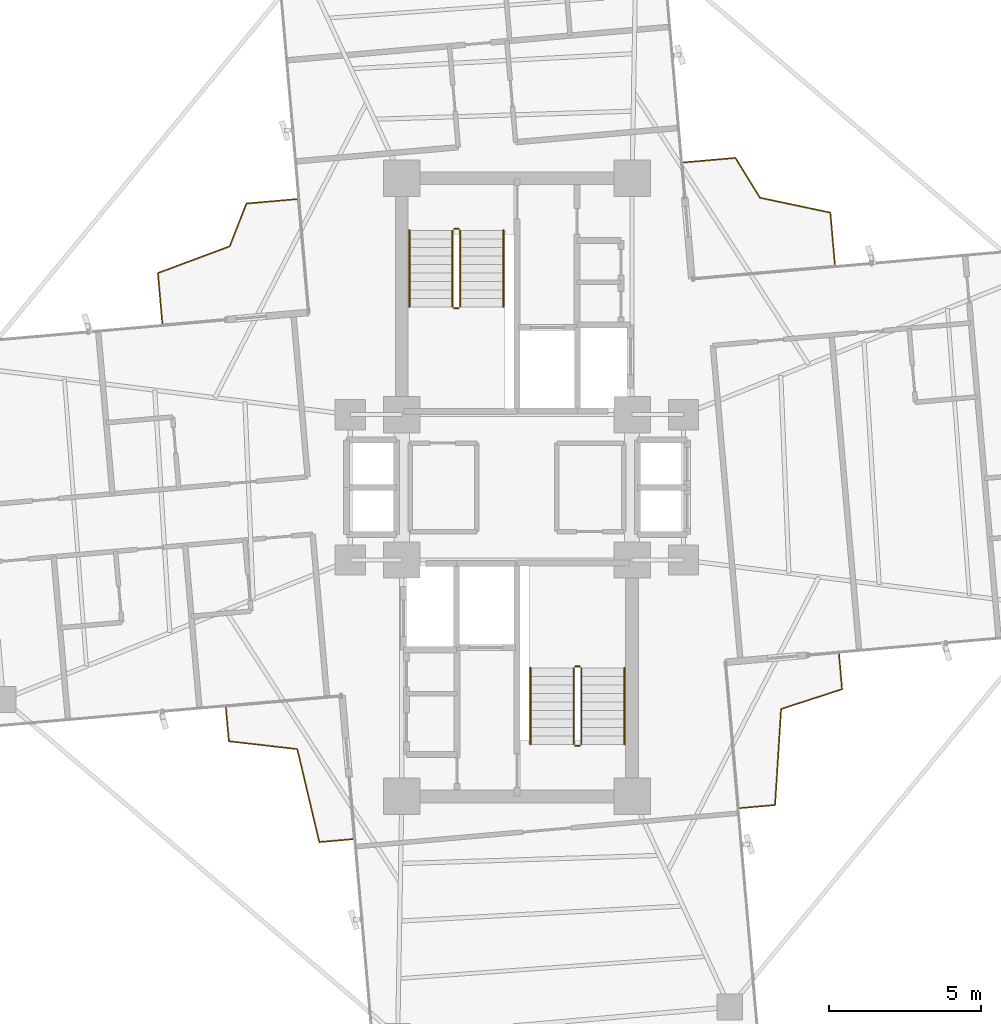
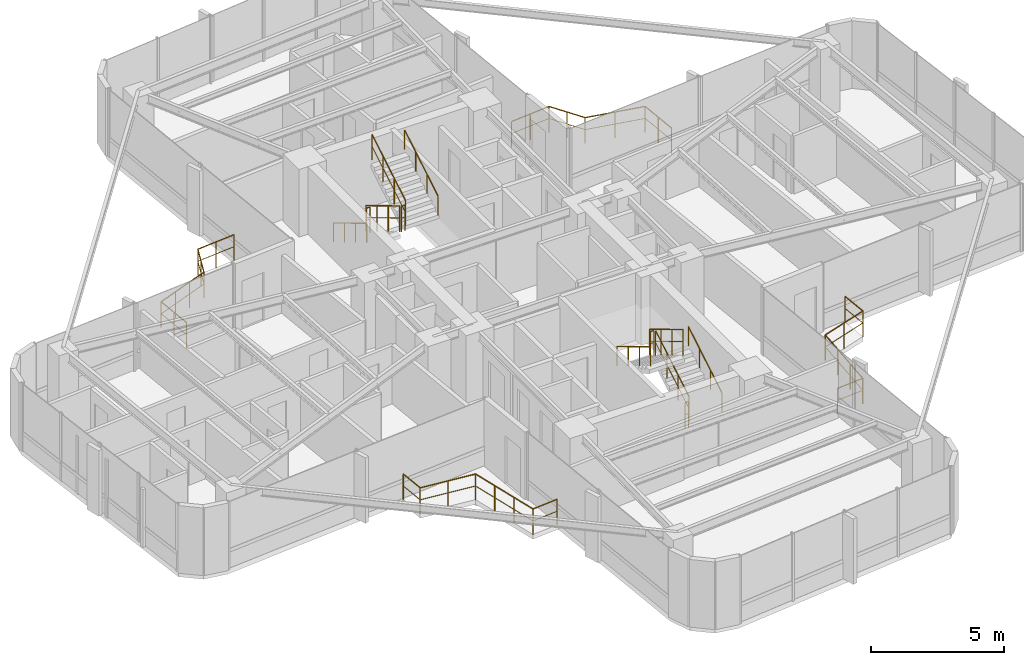
# One storey, part 24 of 24: 16 railings.
"""IFC4 building model written with IfcOpenShell, lengths in metres."""

from ifc_helpers import new_model, si_unit, direction, frame, origin, origin_2d, place, context, subcontext, project, spatial, circle, extrude, material, type_object, element, save


model = new_model("IFC4")

# Units and contexts
model_context = context("Model", 3, precision=1e-05, world=origin(), true_north=direction((0.0, 1.0)))
body_context = subcontext(model_context, "Body", "Model", "MODEL_VIEW")
ifc_project = project(units=[si_unit("LENGTHUNIT", "METRE"), si_unit("AREAUNIT", "SQUARE_METRE"), si_unit("VOLUMEUNIT", "CUBIC_METRE"), si_unit("PLANEANGLEUNIT", "RADIAN"), si_unit("MASSUNIT", "GRAM", prefix="KILO")], contexts=[model_context])

# Site, building, storey
site_placement = place(None, origin())
site = spatial("IfcSite", under=ifc_project, at=site_placement, CompositionType="ELEMENT")
building_placement = place(site_placement, origin())
building = spatial("IfcBuilding", under=site, at=building_placement, Name="Sahyath Konkavel Grand Hotel", CompositionType="ELEMENT")
storey_placement = place(building_placement, frame((0.0, 0.0, 178.550048828125)))
storey = spatial("IfcBuildingStorey", under=building, at=storey_placement, Name="L49", CompositionType="ELEMENT", Elevation=178.550048828125)

# Railings
ifc_material_1 = material(Name="Anodised Bronze Aluminium", Category="aluminium")
railing_type_1 = type_object("IfcRailingType", Name="RLG-BALC-1200", PredefinedType="GUARDRAIL", material=ifc_material_1)
railing_1_placement = place(storey_placement, frame((10.4951171875, 7.352783203125, 0.0)))
element("IfcRailing", 1, at=railing_1_placement, inside=storey, type_object=railing_type_1, Name="L49 Winter-Garden Guard NE", PredefinedType="GUARDRAIL", context=body_context, shape_type="SweptSolid", body=[
    extrude(circle(Radius=0.02392578125, at=origin_2d()), frame((-0.000244140625, 0.001953125, 1.17578125), z_axis=(-0.0870948052, 0.996200027558, 0.0), x_axis=(-0.996200027558, -0.0870948052, 0.0)), (0.0, 0.0, 1.0), 1.717041015625),
    extrude(circle(Radius=0.01416015625, at=origin_2d()), frame((-0.000244140625, 0.001953125, 0.6240234375), z_axis=(-0.0870948052, 0.996200027558, 0.0), x_axis=(-0.996200027558, -0.0870948052, 0.0)), (0.0, 0.0, 1.0), 1.717041015625),
    extrude(circle(Radius=0.02392578125, at=origin_2d()), frame((-0.15185546875, 1.715087890625, 1.17578125), z_axis=(-0.978296040786, 0.207212105298, 0.0), x_axis=(-0.207212105298, -0.978296040786, 0.0)), (0.0, 0.0, 1.0), 2.371337890625),
    extrude(circle(Radius=0.01416015625, at=origin_2d()), frame((-0.15185546875, 1.715087890625, 0.6240234375), z_axis=(-0.978296040786, 0.207212105298, 0.0), x_axis=(-0.207212105298, -0.978296040786, 0.0)), (0.0, 0.0, 1.0), 2.371337890625),
    extrude(circle(Radius=0.02392578125, at=origin_2d()), frame((-2.474609375, 2.20849609375, 1.17578125), z_axis=(-0.524944069423, 0.851136724609, 0.0), x_axis=(-0.851136724609, -0.524944069423, 0.0)), (0.0, 0.0, 1.0), 1.5400390625),
    extrude(circle(Radius=0.01416015625, at=origin_2d()), frame((-2.474609375, 2.20849609375, 0.6240234375), z_axis=(-0.524944069423, 0.851136724609, 0.0), x_axis=(-0.851136724609, -0.524944069423, 0.0)), (0.0, 0.0, 1.0), 1.5400390625),
    extrude(circle(Radius=0.02392578125, at=origin_2d()), frame((-3.2861328125, 3.520751953125, 1.17578125), z_axis=(-0.996200027558, -0.0870948052, 0.0), x_axis=(0.0870948052, -0.996200027558, 0.0)), (0.0, 0.0, 1.0), 1.717041015625),
    extrude(circle(Radius=0.01416015625, at=origin_2d()), frame((-3.2861328125, 3.520751953125, 0.6240234375), z_axis=(-0.996200027558, -0.0870948052, 0.0), x_axis=(0.0870948052, -0.996200027558, 0.0)), (0.0, 0.0, 1.0), 1.717041015625),
    extrude(circle(Radius=0.02099609375, at=origin_2d()), origin(), (0.0, 0.0, 1.0), 1.15185546875),
    extrude(circle(Radius=0.02099609375, at=origin_2d()), frame((-0.074951171875, 0.857421875, 0.0)), (0.0, 0.0, 1.0), 1.15185546875),
    extrude(circle(Radius=0.02099609375, at=origin_2d()), frame((-0.14990234375, 1.714599609375, 0.0)), (0.0, 0.0, 1.0), 1.15185546875),
    extrude(circle(Radius=0.02099609375, at=origin_2d()), frame((-1.311767578125, 1.960693359375, 0.0)), (0.0, 0.0, 1.0), 1.15185546875),
    extrude(circle(Radius=0.02099609375, at=origin_2d()), frame((-2.4736328125, 2.206787109375, 0.0)), (0.0, 0.0, 1.0), 1.15185546875),
    extrude(circle(Radius=0.02099609375, at=origin_2d()), frame((-2.87890625, 2.86376953125, 0.0)), (0.0, 0.0, 1.0), 1.15185546875),
    extrude(circle(Radius=0.02099609375, at=origin_2d()), frame((-3.2841796875, 3.52099609375, 0.0)), (0.0, 0.0, 1.0), 1.15185546875),
    extrude(circle(Radius=0.02099609375, at=origin_2d()), frame((-4.1416015625, 3.446044921875, 0.0)), (0.0, 0.0, 1.0), 1.15185546875),
    extrude(circle(Radius=0.02099609375, at=origin_2d()), frame((-4.998779296875, 3.37109375, 0.0)), (0.0, 0.0, 1.0), 1.15185546875),
])
railing_2_placement = place(storey_placement, frame((-7.266845703125, 9.513916015625, 0.0)))
element("IfcRailing", 2, at=railing_2_placement, inside=storey, type_object=railing_type_1, Name="L49 Winter-Garden Guard NW", PredefinedType="GUARDRAIL", context=body_context, shape_type="SweptSolid", body=[
    extrude(circle(Radius=0.02392578125, at=origin_2d()), frame((-0.001953125, -0.000244140625, 1.17578125), z_axis=(-0.996191017328, -0.087197803837, 0.0), x_axis=(0.087197803837, -0.996191017328, 0.0)), (0.0, 0.0, 1.0), 1.664794921875),
    extrude(circle(Radius=0.01416015625, at=origin_2d()), frame((-0.001953125, -0.000244140625, 0.6240234375), z_axis=(-0.996191017328, -0.087197803837, 0.0), x_axis=(0.087197803837, -0.996191017328, 0.0)), (0.0, 0.0, 1.0), 1.664794921875),
    extrude(circle(Radius=0.02392578125, at=origin_2d()), frame((-1.6630859375, -0.1474609375, 1.17578125), z_axis=(-0.363385785176, -0.931638755705, 0.0), x_axis=(0.931638755705, -0.363385785176, 0.0)), (0.0, 0.0, 1.0), 1.512939453125),
    extrude(circle(Radius=0.01416015625, at=origin_2d()), frame((-1.6630859375, -0.1474609375, 0.6240234375), z_axis=(-0.363385785176, -0.931638755705, 0.0), x_axis=(0.931638755705, -0.363385785176, 0.0)), (0.0, 0.0, 1.0), 1.512939453125),
    extrude(circle(Radius=0.02392578125, at=origin_2d()), frame((-2.215576171875, -1.5595703125, 1.17578125), z_axis=(-0.937167541292, -0.348879634758, 0.0), x_axis=(0.348879634758, -0.937167541292, 0.0)), (0.0, 0.0, 1.0), 2.52490234375),
    extrude(circle(Radius=0.01416015625, at=origin_2d()), frame((-2.215576171875, -1.5595703125, 0.6240234375), z_axis=(-0.937167541292, -0.348879634758, 0.0), x_axis=(0.348879634758, -0.937167541292, 0.0)), (0.0, 0.0, 1.0), 2.52490234375),
    extrude(circle(Radius=0.02392578125, at=origin_2d()), frame((-4.58349609375, -2.443115234375, 1.17578125), z_axis=(0.087197803837, -0.996191017328, 0.0), x_axis=(0.996191017328, 0.087197803837, 0.0)), (0.0, 0.0, 1.0), 1.664794921875),
    extrude(circle(Radius=0.01416015625, at=origin_2d()), frame((-4.58349609375, -2.443115234375, 0.6240234375), z_axis=(0.087197803837, -0.996191017328, 0.0), x_axis=(0.996191017328, 0.087197803837, 0.0)), (0.0, 0.0, 1.0), 1.664794921875),
    extrude(circle(Radius=0.02099609375, at=origin_2d()), origin(), (0.0, 0.0, 1.0), 1.15185546875),
    extrude(circle(Radius=0.02099609375, at=origin_2d()), frame((-0.8310546875, -0.07275390625, 0.0)), (0.0, 0.0, 1.0), 1.15185546875),
    extrude(circle(Radius=0.02099609375, at=origin_2d()), frame((-1.662353515625, -0.1455078125, 0.0)), (0.0, 0.0, 1.0), 1.15185546875),
    extrude(circle(Radius=0.02099609375, at=origin_2d()), frame((-1.93798828125, -0.85205078125, 0.0)), (0.0, 0.0, 1.0), 1.15185546875),
    extrude(circle(Radius=0.02099609375, at=origin_2d()), frame((-2.213623046875, -1.558837890625, 0.0)), (0.0, 0.0, 1.0), 1.15185546875),
    extrude(circle(Radius=0.02099609375, at=origin_2d()), frame((-3.003662109375, -1.85302734375, 0.0)), (0.0, 0.0, 1.0), 1.15185546875),
    extrude(circle(Radius=0.02099609375, at=origin_2d()), frame((-3.793701171875, -2.14697265625, 0.0)), (0.0, 0.0, 1.0), 1.15185546875),
    extrude(circle(Radius=0.02099609375, at=origin_2d()), frame((-4.583740234375, -2.441162109375, 0.0)), (0.0, 0.0, 1.0), 1.15185546875),
    extrude(circle(Radius=0.02099609375, at=origin_2d()), frame((-4.510986328125, -3.2724609375, 0.0)), (0.0, 0.0, 1.0), 1.15185546875),
    extrude(circle(Radius=0.02099609375, at=origin_2d()), frame((-4.438232421875, -4.103515625, 0.0)), (0.0, 0.0, 1.0), 1.15185546875),
])
railing_3_placement = place(storey_placement, frame((-9.6064453125, -7.27490234375, 0.0)))
element("IfcRailing", 3, at=railing_3_placement, inside=storey, type_object=railing_type_1, Name="L49 Winter-Garden Guard SW", PredefinedType="GUARDRAIL", context=body_context, shape_type="SweptSolid", body=[
    extrude(circle(Radius=0.02392578125, at=origin_2d()), frame((0.000244140625, -0.001953125, 1.17578125), z_axis=(0.087046969676, -0.996204208519, 0.0), x_axis=(0.996204208519, 0.087046969676, 0.0)), (0.0, 0.0, 1.0), 1.106689453125),
    extrude(circle(Radius=0.01416015625, at=origin_2d()), frame((0.000244140625, -0.001953125, 0.6240234375), z_axis=(0.087046969676, -0.996204208519, 0.0), x_axis=(0.996204208519, 0.087046969676, 0.0)), (0.0, 0.0, 1.0), 1.106689453125),
    extrude(circle(Radius=0.02392578125, at=origin_2d()), frame((0.0986328125, -1.106689453125, 1.17578125), z_axis=(0.993467108421, -0.114118817403, 0.0), x_axis=(0.114118817403, 0.993467108421, 0.0)), (0.0, 0.0, 1.0), 2.27001953125),
    extrude(circle(Radius=0.01416015625, at=origin_2d()), frame((0.0986328125, -1.106689453125, 0.6240234375), z_axis=(0.993467108421, -0.114118817403, 0.0), x_axis=(0.114118817403, 0.993467108421, 0.0)), (0.0, 0.0, 1.0), 2.27001953125),
    extrude(circle(Radius=0.02392578125, at=origin_2d()), frame((2.3564453125, -1.367919921875, 1.17578125), z_axis=(0.230126787745, -0.973160655577, 0.0), x_axis=(0.973160655577, 0.230126787745, 0.0)), (0.0, 0.0, 1.0), 3.14892578125),
    extrude(circle(Radius=0.01416015625, at=origin_2d()), frame((2.3564453125, -1.367919921875, 0.6240234375), z_axis=(0.230126787745, -0.973160655577, 0.0), x_axis=(0.973160655577, 0.230126787745, 0.0)), (0.0, 0.0, 1.0), 3.14892578125),
    extrude(circle(Radius=0.02392578125, at=origin_2d()), frame((3.08349609375, -4.43408203125, 1.17578125), z_axis=(0.996185123349, 0.087265113409, 0.0), x_axis=(-0.087265113409, 0.996185123349, 0.0)), (0.0, 0.0, 1.0), 1.106689453125),
    extrude(circle(Radius=0.01416015625, at=origin_2d()), frame((3.08349609375, -4.43408203125, 0.6240234375), z_axis=(0.996185123349, 0.087265113409, 0.0), x_axis=(-0.087265113409, 0.996185123349, 0.0)), (0.0, 0.0, 1.0), 1.106689453125),
    extrude(circle(Radius=0.02099609375, at=origin_2d()), origin(), (0.0, 0.0, 1.0), 1.15185546875),
    extrude(circle(Radius=0.02099609375, at=origin_2d()), frame((0.0966796875, -1.1064453125, 0.0)), (0.0, 0.0, 1.0), 1.15185546875),
    extrude(circle(Radius=0.02099609375, at=origin_2d()), frame((1.226318359375, -1.236328125, 0.0)), (0.0, 0.0, 1.0), 1.15185546875),
    extrude(circle(Radius=0.02099609375, at=origin_2d()), frame((2.35595703125, -1.365966796875, 0.0)), (0.0, 0.0, 1.0), 1.15185546875),
    extrude(circle(Radius=0.02099609375, at=origin_2d()), frame((2.597900390625, -2.388671875, 0.0)), (0.0, 0.0, 1.0), 1.15185546875),
    extrude(circle(Radius=0.02099609375, at=origin_2d()), frame((2.839599609375, -3.41162109375, 0.0)), (0.0, 0.0, 1.0), 1.15185546875),
    extrude(circle(Radius=0.02099609375, at=origin_2d()), frame((3.08154296875, -4.434326171875, 0.0)), (0.0, 0.0, 1.0), 1.15185546875),
    extrude(circle(Radius=0.02099609375, at=origin_2d()), frame((4.18798828125, -4.33740234375, 0.0)), (0.0, 0.0, 1.0), 1.15185546875),
])
railing_4_placement = place(storey_placement, frame((7.36083984375, -10.587890625, 0.0)))
element("IfcRailing", 4, at=railing_4_placement, inside=storey, type_object=railing_type_1, Name="L49 Winter-Garden Guard SE", PredefinedType="GUARDRAIL", context=body_context, shape_type="SweptSolid", body=[
    extrude(circle(Radius=0.02392578125, at=origin_2d()), frame((0.001953125, 0.000244140625, 1.17578125), z_axis=(0.996180491755, 0.087317969779, 0.0), x_axis=(-0.087317969779, 0.996180491755, 0.0)), (0.0, 0.0, 1.0), 1.1591796875),
    extrude(circle(Radius=0.01416015625, at=origin_2d()), frame((0.001953125, 0.000244140625, 0.6240234375), z_axis=(0.996180491755, 0.087317969779, 0.0), x_axis=(-0.087317969779, 0.996180491755, 0.0)), (0.0, 0.0, 1.0), 1.1591796875),
    extrude(circle(Radius=0.02392578125, at=origin_2d()), frame((1.158935546875, 0.103515625, 1.17578125), z_axis=(0.063115323018, 0.998006240462, 0.0), x_axis=(-0.998006240462, 0.063115323018, 0.0)), (0.0, 0.0, 1.0), 3.171875),
    extrude(circle(Radius=0.01416015625, at=origin_2d()), frame((1.158935546875, 0.103515625, 0.6240234375), z_axis=(0.063115323018, 0.998006240462, 0.0), x_axis=(-0.998006240462, 0.063115323018, 0.0)), (0.0, 0.0, 1.0), 3.171875),
    extrude(circle(Radius=0.02392578125, at=origin_2d()), frame((1.361083984375, 3.271728515625, 1.17578125), z_axis=(0.95107814469, 0.308950421092, 0.0), x_axis=(-0.308950421092, 0.95107814469, 0.0)), (0.0, 0.0, 1.0), 2.1123046875),
    extrude(circle(Radius=0.01416015625, at=origin_2d()), frame((1.361083984375, 3.271728515625, 0.6240234375), z_axis=(0.95107814469, 0.308950421092, 0.0), x_axis=(-0.308950421092, 0.95107814469, 0.0)), (0.0, 0.0, 1.0), 2.1123046875),
    extrude(circle(Radius=0.02392578125, at=origin_2d()), frame((3.37158203125, 3.9267578125, 1.17578125), z_axis=(-0.087317969779, 0.996180491755, 0.0), x_axis=(-0.996180491755, -0.087317969779, 0.0)), (0.0, 0.0, 1.0), 1.1591796875),
    extrude(circle(Radius=0.01416015625, at=origin_2d()), frame((3.37158203125, 3.9267578125, 0.6240234375), z_axis=(-0.087317969779, 0.996180491755, 0.0), x_axis=(-0.996180491755, -0.087317969779, 0.0)), (0.0, 0.0, 1.0), 1.1591796875),
    extrude(circle(Radius=0.02099609375, at=origin_2d()), origin(), (0.0, 0.0, 1.0), 1.15185546875),
    extrude(circle(Radius=0.02099609375, at=origin_2d()), frame((1.15869140625, 0.1015625, 0.0)), (0.0, 0.0, 1.0), 1.15185546875),
    extrude(circle(Radius=0.02099609375, at=origin_2d()), frame((1.2255859375, 1.157958984375, 0.0)), (0.0, 0.0, 1.0), 1.15185546875),
    extrude(circle(Radius=0.02099609375, at=origin_2d()), frame((1.292236328125, 2.214599609375, 0.0)), (0.0, 0.0, 1.0), 1.15185546875),
    extrude(circle(Radius=0.02099609375, at=origin_2d()), frame((1.359130859375, 3.27099609375, 0.0)), (0.0, 0.0, 1.0), 1.15185546875),
    extrude(circle(Radius=0.02099609375, at=origin_2d()), frame((2.365478515625, 3.597900390625, 0.0)), (0.0, 0.0, 1.0), 1.15185546875),
    extrude(circle(Radius=0.02099609375, at=origin_2d()), frame((3.371826171875, 3.9248046875, 0.0)), (0.0, 0.0, 1.0), 1.15185546875),
    extrude(circle(Radius=0.02099609375, at=origin_2d()), frame((3.270263671875, 5.08349609375, 0.0)), (0.0, 0.0, 1.0), 1.15185546875),
])
ifc_material_2 = material(Name="Steel E350", Category="steel")
railing_type_2 = type_object("IfcRailingType", Name="RLG-STAIR-GRD", PredefinedType="GUARDRAIL", material=ifc_material_2)
railing_5_placement = place(storey_placement, frame((-2.1298828125, 8.47998046875, 0.16748046875)))
element("IfcRailing", 5, at=railing_5_placement, inside=storey, type_object=railing_type_2, Name="L49 ST-1 stair guard 1", PredefinedType="GUARDRAIL", context=body_context, shape_type="SweptSolid", body=[
    extrude(circle(Radius=0.02392578125, at=origin_2d()), frame((0.0, -0.001708984375, 1.177001953125), z_axis=(0.0, -0.858159760407, 0.513382728203), x_axis=(1.0, 0.0, 0.0)), (0.0, 0.0, 1.0), 2.9326171875),
    extrude(circle(Radius=0.01416015625, at=origin_2d()), frame((0.0, -0.001708984375, 0.625), z_axis=(0.0, -0.858159760407, 0.513382728203), x_axis=(1.0, 0.0, 0.0)), (0.0, 0.0, 1.0), 2.9326171875),
    extrude(circle(Radius=0.02099609375, at=origin_2d()), origin(), (0.0, 0.0, 1.0), 1.15185546875),
    extrude(circle(Radius=0.02099609375, at=origin_2d()), frame((0.0, -0.840087890625, 0.50244140625)), (0.0, 0.0, 1.0), 1.15185546875),
    extrude(circle(Radius=0.02099609375, at=origin_2d()), frame((0.0, -1.679931640625, 1.005126953125)), (0.0, 0.0, 1.0), 1.15185546875),
    extrude(circle(Radius=0.02099609375, at=origin_2d()), frame((0.0, -2.52001953125, 1.507568359375)), (0.0, 0.0, 1.0), 1.15185546875),
])
railing_6_placement = place(storey_placement, frame((-2.080078125, 5.909912109375, 1.675048828125)))
element("IfcRailing", 6, at=railing_6_placement, inside=storey, type_object=railing_type_2, Name="L49 ST-1 stair guard 2", PredefinedType="GUARDRAIL", context=body_context, shape_type="SweptSolid", body=[
    extrude(circle(Radius=0.02392578125, at=origin_2d()), frame((0.001953125, 0.0, 1.17578125), z_axis=(1.0, 0.0, 0.0), x_axis=(0.0, 1.0, 0.0)), (0.0, 0.0, 1.0), 0.15625),
    extrude(circle(Radius=0.01416015625, at=origin_2d()), frame((0.001953125, 0.0, 0.6240234375), z_axis=(1.0, 0.0, 0.0), x_axis=(0.0, 1.0, 0.0)), (0.0, 0.0, 1.0), 0.15625),
    extrude(circle(Radius=0.02099609375, at=origin_2d()), origin(), (0.0, 0.0, 1.0), 1.15185546875),
    extrude(circle(Radius=0.02099609375, at=origin_2d()), frame((0.16015625, 0.0, 0.0)), (0.0, 0.0, 1.0), 1.15185546875),
])
railing_7_placement = place(storey_placement, frame((-1.8701171875, 5.9599609375, 1.842529296875)))
element("IfcRailing", 7, at=railing_7_placement, inside=storey, type_object=railing_type_2, Name="L49 ST-1 stair guard 3", PredefinedType="GUARDRAIL", context=body_context, shape_type="SweptSolid", body=[
    extrude(circle(Radius=0.02392578125, at=origin_2d()), frame((0.0, 0.001708984375, 1.177001953125), z_axis=(0.0, 0.858196387827, 0.513321497621), x_axis=(-1.0, 0.0, 0.0)), (0.0, 0.0, 1.0), 2.932373046875),
    extrude(circle(Radius=0.01416015625, at=origin_2d()), frame((0.0, 0.001708984375, 0.625), z_axis=(0.0, 0.858196387827, 0.513321497621), x_axis=(-1.0, 0.0, 0.0)), (0.0, 0.0, 1.0), 2.932373046875),
    extrude(circle(Radius=0.02099609375, at=origin_2d()), origin(), (0.0, 0.0, 1.0), 1.15185546875),
    extrude(circle(Radius=0.02099609375, at=origin_2d()), frame((0.0, 0.840087890625, 0.50244140625)), (0.0, 0.0, 1.0), 1.15185546875),
    extrude(circle(Radius=0.02099609375, at=origin_2d()), frame((0.0, 1.679931640625, 1.0048828125)), (0.0, 0.0, 1.0), 1.15185546875),
    extrude(circle(Radius=0.02099609375, at=origin_2d()), frame((0.0, 2.52001953125, 1.50732421875)), (0.0, 0.0, 1.0), 1.15185546875),
])
railing_8_placement = place(storey_placement, frame((-2.080078125, 8.530029296875, 0.0)))
element("IfcRailing", 8, at=railing_8_placement, inside=storey, type_object=railing_type_2, Name="L49 ST-1 stair guard 4", PredefinedType="GUARDRAIL", context=body_context, shape_type="SweptSolid", body=[
    extrude(circle(Radius=0.02392578125, at=origin_2d()), frame((0.001953125, 0.0, 1.17578125), z_axis=(1.0, 0.0, 0.0), x_axis=(0.0, 1.0, 0.0)), (0.0, 0.0, 1.0), 0.15625),
    extrude(circle(Radius=0.01416015625, at=origin_2d()), frame((0.001953125, 0.0, 0.6240234375), z_axis=(1.0, 0.0, 0.0), x_axis=(0.0, 1.0, 0.0)), (0.0, 0.0, 1.0), 0.15625),
    extrude(circle(Radius=0.02099609375, at=origin_2d()), origin(), (0.0, 0.0, 1.0), 1.15185546875),
    extrude(circle(Radius=0.02099609375, at=origin_2d()), frame((0.16015625, 0.0, 0.0)), (0.0, 0.0, 1.0), 1.15185546875),
])
railing_9_placement = place(storey_placement, frame((2.1298828125, -8.47998046875, 0.16748046875)))
element("IfcRailing", 9, at=railing_9_placement, inside=storey, type_object=railing_type_2, Name="L49 ST-2 stair guard 1", PredefinedType="GUARDRAIL", context=body_context, shape_type="SweptSolid", body=[
    extrude(circle(Radius=0.02392578125, at=origin_2d()), frame((0.0, 0.001708984375, 1.177001953125), z_axis=(0.0, 0.858159760407, 0.513382728203), x_axis=(-1.0, 0.0, 0.0)), (0.0, 0.0, 1.0), 2.9326171875),
    extrude(circle(Radius=0.01416015625, at=origin_2d()), frame((0.0, 0.001708984375, 0.625), z_axis=(0.0, 0.858159760407, 0.513382728203), x_axis=(-1.0, 0.0, 0.0)), (0.0, 0.0, 1.0), 2.9326171875),
    extrude(circle(Radius=0.02099609375, at=origin_2d()), origin(), (0.0, 0.0, 1.0), 1.15185546875),
    extrude(circle(Radius=0.02099609375, at=origin_2d()), frame((0.0, 0.840087890625, 0.50244140625)), (0.0, 0.0, 1.0), 1.15185546875),
    extrude(circle(Radius=0.02099609375, at=origin_2d()), frame((0.0, 1.679931640625, 1.005126953125)), (0.0, 0.0, 1.0), 1.15185546875),
    extrude(circle(Radius=0.02099609375, at=origin_2d()), frame((0.0, 2.52001953125, 1.507568359375)), (0.0, 0.0, 1.0), 1.15185546875),
])
railing_10_placement = place(storey_placement, frame((2.080078125, -5.909912109375, 1.675048828125)))
element("IfcRailing", 10, at=railing_10_placement, inside=storey, type_object=railing_type_2, Name="L49 ST-2 stair guard 2", PredefinedType="GUARDRAIL", context=body_context, shape_type="SweptSolid", body=[
    extrude(circle(Radius=0.02392578125, at=origin_2d()), frame((-0.001953125, 0.0, 1.17578125), z_axis=(-1.0, 0.0, 0.0), x_axis=(0.0, -1.0, 0.0)), (0.0, 0.0, 1.0), 0.15625),
    extrude(circle(Radius=0.01416015625, at=origin_2d()), frame((-0.001953125, 0.0, 0.6240234375), z_axis=(-1.0, 0.0, 0.0), x_axis=(0.0, -1.0, 0.0)), (0.0, 0.0, 1.0), 0.15625),
    extrude(circle(Radius=0.02099609375, at=origin_2d()), origin(), (0.0, 0.0, 1.0), 1.15185546875),
    extrude(circle(Radius=0.02099609375, at=origin_2d()), frame((-0.16015625, 0.0, 0.0)), (0.0, 0.0, 1.0), 1.15185546875),
])
railing_11_placement = place(storey_placement, frame((1.8701171875, -5.9599609375, 1.842529296875)))
element("IfcRailing", 11, at=railing_11_placement, inside=storey, type_object=railing_type_2, Name="L49 ST-2 stair guard 3", PredefinedType="GUARDRAIL", context=body_context, shape_type="SweptSolid", body=[
    extrude(circle(Radius=0.02392578125, at=origin_2d()), frame((0.0, -0.001708984375, 1.177001953125), z_axis=(0.0, -0.858196387827, 0.513321497621), x_axis=(1.0, 0.0, 0.0)), (0.0, 0.0, 1.0), 2.932373046875),
    extrude(circle(Radius=0.01416015625, at=origin_2d()), frame((0.0, -0.001708984375, 0.625), z_axis=(0.0, -0.858196387827, 0.513321497621), x_axis=(1.0, 0.0, 0.0)), (0.0, 0.0, 1.0), 2.932373046875),
    extrude(circle(Radius=0.02099609375, at=origin_2d()), origin(), (0.0, 0.0, 1.0), 1.15185546875),
    extrude(circle(Radius=0.02099609375, at=origin_2d()), frame((0.0, -0.840087890625, 0.50244140625)), (0.0, 0.0, 1.0), 1.15185546875),
    extrude(circle(Radius=0.02099609375, at=origin_2d()), frame((0.0, -1.679931640625, 1.0048828125)), (0.0, 0.0, 1.0), 1.15185546875),
    extrude(circle(Radius=0.02099609375, at=origin_2d()), frame((0.0, -2.52001953125, 1.50732421875)), (0.0, 0.0, 1.0), 1.15185546875),
])
railing_12_placement = place(storey_placement, frame((2.080078125, -8.530029296875, 0.0)))
element("IfcRailing", 12, at=railing_12_placement, inside=storey, type_object=railing_type_2, Name="L49 ST-2 stair guard 4", PredefinedType="GUARDRAIL", context=body_context, shape_type="SweptSolid", body=[
    extrude(circle(Radius=0.02392578125, at=origin_2d()), frame((-0.001953125, 0.0, 1.17578125), z_axis=(-1.0, 0.0, 0.0), x_axis=(0.0, -1.0, 0.0)), (0.0, 0.0, 1.0), 0.15625),
    extrude(circle(Radius=0.01416015625, at=origin_2d()), frame((-0.001953125, 0.0, 0.6240234375), z_axis=(-1.0, 0.0, 0.0), x_axis=(0.0, -1.0, 0.0)), (0.0, 0.0, 1.0), 0.15625),
    extrude(circle(Radius=0.02099609375, at=origin_2d()), origin(), (0.0, 0.0, 1.0), 1.15185546875),
    extrude(circle(Radius=0.02099609375, at=origin_2d()), frame((-0.16015625, 0.0, 0.0)), (0.0, 0.0, 1.0), 1.15185546875),
])
railing_type_3 = type_object("IfcRailingType", Name="RLG-STAIR-HND", PredefinedType="HANDRAIL", material=ifc_material_1)
railing_13_placement = place(storey_placement, frame((-3.550048828125, 8.47998046875, 0.16748046875)))
element("IfcRailing", 13, at=railing_13_placement, inside=storey, type_object=railing_type_3, Name="L49 ST-1 stair handrail 1", PredefinedType="HANDRAIL", context=body_context, shape_type="SweptSolid", body=[
    extrude(circle(Radius=0.02392578125, at=origin_2d()), frame((0.0, -0.001708984375, 0.876953125), z_axis=(0.0, -0.858159760407, 0.513382728203), x_axis=(1.0, 0.0, 0.0)), (0.0, 0.0, 1.0), 2.9326171875),
    extrude(circle(Radius=0.02099609375, at=origin_2d()), origin(), (0.0, 0.0, 1.0), 0.851806640625),
    extrude(circle(Radius=0.02099609375, at=origin_2d()), frame((0.0, -0.840087890625, 0.50244140625)), (0.0, 0.0, 1.0), 0.851806640625),
    extrude(circle(Radius=0.02099609375, at=origin_2d()), frame((0.0, -1.679931640625, 1.005126953125)), (0.0, 0.0, 1.0), 0.851806640625),
    extrude(circle(Radius=0.02099609375, at=origin_2d()), frame((0.0, -2.52001953125, 1.507568359375)), (0.0, 0.0, 1.0), 0.851806640625),
])
railing_14_placement = place(storey_placement, frame((-0.449951171875, 5.9599609375, 1.842529296875)))
element("IfcRailing", 14, at=railing_14_placement, inside=storey, type_object=railing_type_3, Name="L49 ST-1 stair handrail 2", PredefinedType="HANDRAIL", context=body_context, shape_type="SweptSolid", body=[
    extrude(circle(Radius=0.02392578125, at=origin_2d()), frame((0.0, 0.001708984375, 0.876953125), z_axis=(0.0, 0.858196387827, 0.513321497621), x_axis=(-1.0, 0.0, 0.0)), (0.0, 0.0, 1.0), 2.932373046875),
    extrude(circle(Radius=0.02099609375, at=origin_2d()), origin(), (0.0, 0.0, 1.0), 0.851806640625),
    extrude(circle(Radius=0.02099609375, at=origin_2d()), frame((0.0, 0.840087890625, 0.50244140625)), (0.0, 0.0, 1.0), 0.851806640625),
    extrude(circle(Radius=0.02099609375, at=origin_2d()), frame((0.0, 1.679931640625, 1.0048828125)), (0.0, 0.0, 1.0), 0.851806640625),
    extrude(circle(Radius=0.02099609375, at=origin_2d()), frame((0.0, 2.52001953125, 1.50732421875)), (0.0, 0.0, 1.0), 0.851806640625),
])
railing_15_placement = place(storey_placement, frame((3.550048828125, -8.47998046875, 0.16748046875)))
element("IfcRailing", 15, at=railing_15_placement, inside=storey, type_object=railing_type_3, Name="L49 ST-2 stair handrail 1", PredefinedType="HANDRAIL", context=body_context, shape_type="SweptSolid", body=[
    extrude(circle(Radius=0.02392578125, at=origin_2d()), frame((0.0, 0.001708984375, 0.876953125), z_axis=(0.0, 0.858159760407, 0.513382728203), x_axis=(-1.0, 0.0, 0.0)), (0.0, 0.0, 1.0), 2.9326171875),
    extrude(circle(Radius=0.02099609375, at=origin_2d()), origin(), (0.0, 0.0, 1.0), 0.851806640625),
    extrude(circle(Radius=0.02099609375, at=origin_2d()), frame((0.0, 0.840087890625, 0.50244140625)), (0.0, 0.0, 1.0), 0.851806640625),
    extrude(circle(Radius=0.02099609375, at=origin_2d()), frame((0.0, 1.679931640625, 1.005126953125)), (0.0, 0.0, 1.0), 0.851806640625),
    extrude(circle(Radius=0.02099609375, at=origin_2d()), frame((0.0, 2.52001953125, 1.507568359375)), (0.0, 0.0, 1.0), 0.851806640625),
])
railing_16_placement = place(storey_placement, frame((0.449951171875, -5.9599609375, 1.842529296875)))
element("IfcRailing", 16, at=railing_16_placement, inside=storey, type_object=railing_type_3, Name="L49 ST-2 stair handrail 2", PredefinedType="HANDRAIL", context=body_context, shape_type="SweptSolid", body=[
    extrude(circle(Radius=0.02392578125, at=origin_2d()), frame((0.0, -0.001708984375, 0.876953125), z_axis=(0.0, -0.858196387827, 0.513321497621), x_axis=(1.0, 0.0, 0.0)), (0.0, 0.0, 1.0), 2.932373046875),
    extrude(circle(Radius=0.02099609375, at=origin_2d()), origin(), (0.0, 0.0, 1.0), 0.851806640625),
    extrude(circle(Radius=0.02099609375, at=origin_2d()), frame((0.0, -0.840087890625, 0.50244140625)), (0.0, 0.0, 1.0), 0.851806640625),
    extrude(circle(Radius=0.02099609375, at=origin_2d()), frame((0.0, -1.679931640625, 1.0048828125)), (0.0, 0.0, 1.0), 0.851806640625),
    extrude(circle(Radius=0.02099609375, at=origin_2d()), frame((0.0, -2.52001953125, 1.50732421875)), (0.0, 0.0, 1.0), 0.851806640625),
])

save(model, "model.ifc")
